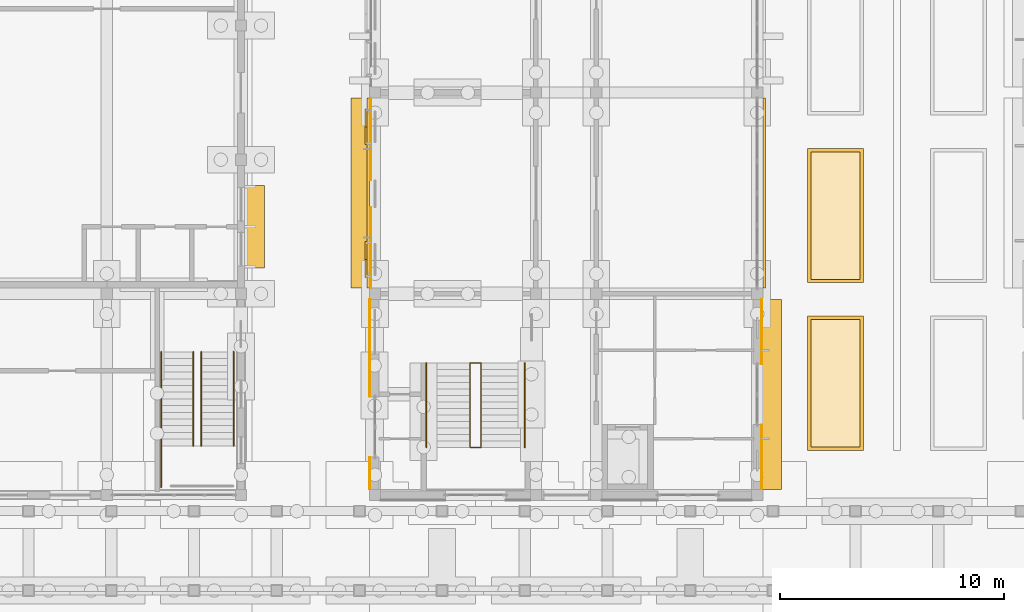
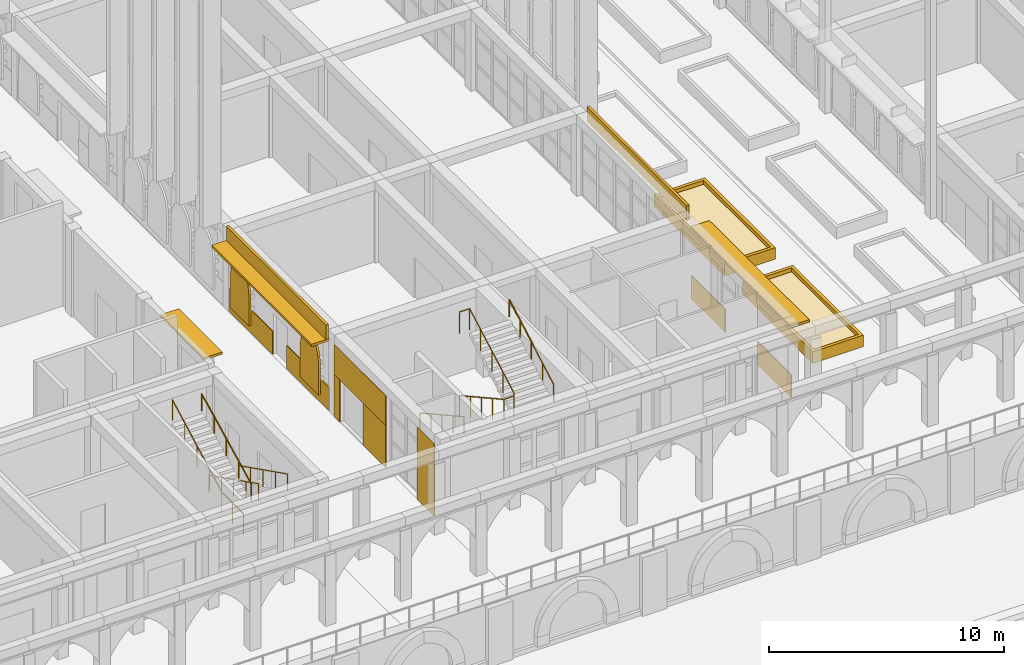
# One storey, part 95 of 161: 14 coverings, 7 railings, 5 shading devices.
"""IFC4 building model written with IfcOpenShell, lengths in metres."""

import ifcopenshell
import ifcopenshell.guid

model = None  # the IFC model being written
_history = None  # IfcOwnerHistory: only IFC2X3 demands one
_inside = {}  # id of a spatial element -> (the spatial element, [elements in it])
_under = {}  # id of a project, library or spatial element -> (it, [spatial elements below it])
_declared = {}  # id of a project -> (the project, [libraries it declares])
_typed = {}  # id of a type object -> (the type object, [elements of that type])
_made_of = {}  # id of a material, layer set ... -> (it, [elements and type objects made of it])


def new_model(schema):
    """Start an empty IFC model of exactly this schema.

    Asked for "IFC4X3", IfcOpenShell would pick the latest addendum, in which some entities
    have other attributes; the version numbers below select the first issue.
    IFC2X3 requires an IfcOwnerHistory on every rooted entity: one is made here for all.
    """
    global model, _history
    if schema == "IFC4X3":
        model = ifcopenshell.file(schema_version=(4, 3, 0, 0))
    else:
        model = ifcopenshell.file(schema=schema)
    _inside.clear()
    _under.clear()
    _declared.clear()
    _typed.clear()
    _made_of.clear()
    _history = None
    if model.schema == "IFC2X3":
        org = make("IfcOrganization", Name="unknown")
        user = make(
            "IfcPersonAndOrganization",
            ThePerson=make("IfcPerson", FamilyName="unknown"),
            TheOrganization=org,
        )
        app = make(
            "IfcApplication",
            ApplicationDeveloper=org,
            Version="unknown",
            ApplicationFullName="unknown",
            ApplicationIdentifier="unknown",
        )
        _history = make(
            "IfcOwnerHistory",
            OwningUser=user,
            OwningApplication=app,
            ChangeAction="ADDED",
            CreationDate=0,
        )
    return model


def make(cls, **values):
    """One entity of the class cls with the attributes given. An attribute that is None is left unset."""
    return model.create_entity(
        cls, **{name: value for name, value in values.items() if value is not None}
    )


def rooted(cls, **values):
    """An entity with a GlobalId (a new one), such as an element, a storey or a relation."""
    return make(cls, GlobalId=ifcopenshell.guid.new(), OwnerHistory=_history, **values)


def si_unit(unit_type, name, prefix=None):
    """IfcSIUnit, for example si_unit("LENGTHUNIT", "METRE", prefix="MILLI")."""
    return make("IfcSIUnit", UnitType=unit_type, Prefix=prefix, Name=name)


def assignment(units):
    """IfcUnitAssignment: the units of a project."""
    return None if units is None else make("IfcUnitAssignment", Units=units)


def point(xyz):
    """IfcCartesianPoint."""
    return None if xyz is None else make("IfcCartesianPoint", Coordinates=xyz)


def direction(xyz):
    """IfcDirection."""
    return None if xyz is None else make("IfcDirection", DirectionRatios=xyz)


def frame(location, z_axis=None, x_axis=None):
    """IfcAxis2Placement3D, a coordinate frame: its origin and axes. An axis left out is left unset."""
    return make(
        "IfcAxis2Placement3D",
        Location=point(location),
        Axis=direction(z_axis),
        RefDirection=direction(x_axis),
    )


def frame_2d(location, x_axis=None):
    """IfcAxis2Placement2D, a coordinate frame in the plane: its origin and x axis."""
    return make(
        "IfcAxis2Placement2D", Location=point(location), RefDirection=direction(x_axis)
    )


def origin():
    """The frame at (0, 0, 0) with its axes left unset."""
    return frame((0.0, 0.0, 0.0))


def origin_2d():
    """The frame at (0, 0) in the plane with its x axis left unset."""
    return frame_2d((0.0, 0.0))


def place(relative_to, where):
    """IfcLocalPlacement: puts the frame where relative to a parent placement (None: the world)."""
    return make(
        "IfcLocalPlacement", PlacementRelTo=relative_to, RelativePlacement=where
    )


def context(
    kind, dimensions, precision=None, world=None, true_north=None, identifier=None
):
    """IfcGeometricRepresentationContext, for example the 3D "Model" context."""
    return make(
        "IfcGeometricRepresentationContext",
        ContextIdentifier=identifier,
        ContextType=kind,
        CoordinateSpaceDimension=dimensions,
        Precision=precision,
        WorldCoordinateSystem=world,
        TrueNorth=true_north,
    )


def subcontext(parent, identifier, kind, view, scale=None):
    """IfcGeometricRepresentationSubContext, for example "Body" below "Model"."""
    return make(
        "IfcGeometricRepresentationSubContext",
        ContextIdentifier=identifier,
        ContextType=kind,
        ParentContext=parent,
        TargetScale=scale,
        TargetView=view,
    )


def project(units=None, contexts=None):
    """IfcProject with its units and contexts."""
    return rooted(
        "IfcProject",
        Name="project",
        RepresentationContexts=contexts,
        UnitsInContext=assignment(units),
    )


def spatial(cls, under=None, at=None, **own):
    """A site, building, storey or space (cls), placed at a placement, below another one or the project."""
    s = rooted(cls, ObjectPlacement=at, **own)
    if under is not None:
        _under.setdefault(under.id(), (under, []))[1].append(s)
    return s


def polyline(points):
    """IfcPolyline through the points."""
    return make("IfcPolyline", Points=[point(p) for p in points])


def profile(cls, at=None, kind="AREA", **sizes):
    """A parametric profile (cls). Its sizes go by their IFC names, for example OverallWidth=200.0."""
    return make(cls, ProfileType=kind, Position=at, **sizes)


def rectangle(**sizes):
    """IfcRectangleProfileDef."""
    return profile("IfcRectangleProfileDef", **sizes)


def circle(**sizes):
    """IfcCircleProfileDef."""
    return profile("IfcCircleProfileDef", **sizes)


def outline(outer, holes=None, kind="AREA"):
    """IfcArbitraryClosedProfileDef: a profile drawn as a closed curve; with holes, ...WithVoids."""
    if holes is None:
        return make("IfcArbitraryClosedProfileDef", ProfileType=kind, OuterCurve=outer)
    return make(
        "IfcArbitraryProfileDefWithVoids",
        ProfileType=kind,
        OuterCurve=outer,
        InnerCurves=holes,
    )


def extrude(swept, where, along, depth):
    """IfcExtrudedAreaSolid: the profile swept, set in the frame where, extruded along a direction by depth."""
    return make(
        "IfcExtrudedAreaSolid",
        SweptArea=swept,
        Position=where,
        ExtrudedDirection=direction(along),
        Depth=depth,
    )


def shape(context_of_items, identifier, shape_type, items):
    """IfcShapeRepresentation: the items that make up one representation, for example the "Body"."""
    return make(
        "IfcShapeRepresentation",
        ContextOfItems=context_of_items,
        RepresentationIdentifier=identifier,
        RepresentationType=shape_type,
        Items=items,
    )


def material(Name=None, Category=None):
    """IfcMaterial."""
    return make("IfcMaterial", Name=Name, Category=Category)


def layer(
    of_material, thickness, ventilated=None, Name=None, Category=None, Priority=None
):
    """IfcMaterialLayer: one layer of a wall or slab, of a material (None: an air gap)."""
    return make(
        "IfcMaterialLayer",
        Material=of_material,
        LayerThickness=thickness,
        IsVentilated=ventilated,
        Name=Name,
        Category=Category,
        Priority=Priority,
    )


def layer_set(layers, Name=None):
    """IfcMaterialLayerSet."""
    return make("IfcMaterialLayerSet", MaterialLayers=layers, LayerSetName=Name)


def made_of(thing, what):
    """Note that an element or type object is made of a material, layer set ...; save() writes the relation."""
    if what is not None:
        _made_of.setdefault(what.id(), (what, []))[1].append(thing)
    return thing


def type_object(cls, material=None, **own):
    """A type object (cls), such as IfcWallType, which elements share."""
    return made_of(rooted(cls, **own), material)


def element(
    cls,
    number,
    at=None,
    inside=None,
    cuts=None,
    type_object=None,
    material=None,
    context=None,
    identifier="Body",
    shape_type=None,
    held_by="IfcProductDefinitionShape",
    body=None,
    shapes=None,
    **own,
):
    """One element of the class cls, such as IfcWall. Its Tag is "e" and its number.

    at: its placement. inside: the storey or other place that contains it. cuts: it is an
    opening in that element (IfcRelVoidsElement). A single representation is given by context,
    identifier, shape_type and body (its items); several are given by shapes. held_by: the class
    of the entity that holds the representations. save() writes the other relations.
    """
    e = rooted(cls, Tag="e%d" % number, ObjectPlacement=at, **own)
    if body is not None:
        shapes = [shape(context, identifier, shape_type, body)]
    if shapes is not None:
        e.Representation = make(held_by, Representations=shapes)
    if inside is not None:
        _inside.setdefault(inside.id(), (inside, []))[1].append(e)
    if cuts is not None:
        rooted(
            "IfcRelVoidsElement", RelatingBuildingElement=cuts, RelatedOpeningElement=e
        )
    if type_object is not None:
        _typed.setdefault(type_object.id(), (type_object, []))[1].append(e)
    return made_of(e, material)


def aggregate(whole, parts):
    """IfcRelAggregates: a whole, such as a stair, and the parts it consists of."""
    return rooted("IfcRelAggregates", RelatingObject=whole, RelatedObjects=parts)


def save(model, path):
    """Write the relations noted so far, then the file.

    IfcRelAggregates (storeys below a building ...), IfcRelContainedInSpatialStructure (elements
    in a storey), IfcRelDefinesByType, IfcRelAssociatesMaterial and IfcRelDeclares: one each for
    every whole, place, type object, material and project.
    """
    for whole, parts in _under.values():
        aggregate(whole, parts)
    for where, things in _inside.values():
        rooted(
            "IfcRelContainedInSpatialStructure",
            RelatedElements=things,
            RelatingStructure=where,
        )
    for kind, things in _typed.values():
        rooted("IfcRelDefinesByType", RelatedObjects=things, RelatingType=kind)
    for what, things in _made_of.values():
        rooted("IfcRelAssociatesMaterial", RelatedObjects=things, RelatingMaterial=what)
    for by, libraries in _declared.values():
        rooted("IfcRelDeclares", RelatingContext=by, RelatedDefinitions=libraries)
    model.write(path)


model = new_model("IFC4")

# Units and contexts
model_context = context("Model", 3, precision=1e-05, world=origin(), true_north=direction((0.0, 1.0)))
body_context = subcontext(model_context, "Body", "Model", "MODEL_VIEW")
ifc_project = project(units=[si_unit("LENGTHUNIT", "METRE"), si_unit("AREAUNIT", "SQUARE_METRE"), si_unit("VOLUMEUNIT", "CUBIC_METRE"), si_unit("PLANEANGLEUNIT", "RADIAN"), si_unit("MASSUNIT", "GRAM", prefix="KILO")], contexts=[model_context])

# Site, building, storey
site_placement = place(None, origin())
site = spatial("IfcSite", under=ifc_project, at=site_placement, CompositionType="ELEMENT")
building_placement = place(site_placement, origin())
building = spatial("IfcBuilding", under=site, at=building_placement, Name="Elbe Cascade School", CompositionType="ELEMENT")
storey_placement = place(building_placement, origin())
storey = spatial("IfcBuildingStorey", under=building, at=storey_placement, Name="L00", CompositionType="ELEMENT", Elevation=0.0)

# Railings
ifc_material_1 = material(Name="Steel S355J2H, painted", Category="steel")
railing_type_1 = type_object("IfcRailingType", Name="Bar stair guard 1100", PredefinedType="GUARDRAIL", material=ifc_material_1)
railing_1_placement = place(storey_placement, frame((73.25, 11.89990234375, 0.16064453125)))
element("IfcRailing", 1, at=railing_1_placement, inside=storey, type_object=railing_type_1, Name="Stair guard A0.S", PredefinedType="GUARDRAIL", context=body_context, shape_type="SweptSolid", body=[
    extrude(circle(Radius=0.02392578125, at=origin_2d()), frame((0.0, 0.0, 1.09619140625), z_axis=(0.0, -0.874659101714, 0.484738543742), x_axis=(1.0, 0.0, 0.0)), (0.0, 0.0, 1.0), 4.310302734375),
    extrude(circle(Radius=0.02392578125, at=origin_2d()), frame((0.0, -3.77001953125, 3.185546875), z_axis=(1.0, 0.0, 0.0), x_axis=(0.0, 1.0, 0.0)), (0.0, 0.0, 1.0), 0.5),
    extrude(circle(Radius=0.02392578125, at=origin_2d()), frame((0.5, -3.77001953125, 3.185546875), z_axis=(0.0, 0.0, 1.0), x_axis=(1.0, 0.0, 0.0)), (0.0, 0.0, 1.0), 0.16064453125),
    extrude(circle(Radius=0.02392578125, at=origin_2d()), frame((0.5, -3.77001953125, 3.34619140625), z_axis=(0.0, 0.874659101714, 0.484738543742), x_axis=(-1.0, 0.0, 0.0)), (0.0, 0.0, 1.0), 4.310302734375),
    extrude(circle(Radius=0.02392578125, at=origin_2d()), frame((0.5, 0.0, 5.435546875), z_axis=(-1.0, 0.0, 0.0), x_axis=(0.0, -1.0, 0.0)), (0.0, 0.0, 1.0), 0.5),
    extrude(circle(Radius=0.02099609375, at=origin_2d()), origin(), (0.0, 0.0, 1.0), 1.072021484375),
    extrude(circle(Radius=0.02099609375, at=origin_2d()), frame((0.0, -0.9423828125, 0.5224609375)), (0.0, 0.0, 1.0), 1.072021484375),
    extrude(circle(Radius=0.02099609375, at=origin_2d()), frame((0.0, -1.885009765625, 1.044677734375)), (0.0, 0.0, 1.0), 1.072021484375),
    extrude(circle(Radius=0.02099609375, at=origin_2d()), frame((0.0, -2.82763671875, 1.56689453125)), (0.0, 0.0, 1.0), 1.072021484375),
    extrude(circle(Radius=0.02099609375, at=origin_2d()), frame((0.0, -3.77001953125, 2.08935546875)), (0.0, 0.0, 1.0), 1.072021484375),
    extrude(circle(Radius=0.02099609375, at=origin_2d()), frame((0.5, -3.77001953125, 2.08935546875)), (0.0, 0.0, 1.0), 1.072021484375),
    extrude(circle(Radius=0.02099609375, at=origin_2d()), frame((0.5, -3.77001953125, 2.25)), (0.0, 0.0, 1.0), 1.072021484375),
    extrude(circle(Radius=0.02099609375, at=origin_2d()), frame((0.5, -2.82763671875, 2.7724609375)), (0.0, 0.0, 1.0), 1.072021484375),
    extrude(circle(Radius=0.02099609375, at=origin_2d()), frame((0.5, -1.885009765625, 3.294677734375)), (0.0, 0.0, 1.0), 1.072021484375),
    extrude(circle(Radius=0.02099609375, at=origin_2d()), frame((0.5, -0.9423828125, 3.81689453125)), (0.0, 0.0, 1.0), 1.072021484375),
    extrude(circle(Radius=0.02099609375, at=origin_2d()), frame((0.5, 0.0, 4.33935546875)), (0.0, 0.0, 1.0), 1.072021484375),
    extrude(circle(Radius=0.02099609375, at=origin_2d()), frame((0.0, 0.0, 4.33935546875)), (0.0, 0.0, 1.0), 1.072021484375),
])
ifc_material_2 = material(Name="Steel S355J2H, painted", Category="steel")
railing_type_2 = type_object("IfcRailingType", Name="Bar stair handrail 900", PredefinedType="HANDRAIL", material=ifc_material_2)
railing_2_placement = place(storey_placement, frame((71.300048828125, 11.89990234375, 0.16064453125)))
element("IfcRailing", 2, at=railing_2_placement, inside=storey, type_object=railing_type_2, Name="Stair handrail A0.S", PredefinedType="HANDRAIL", context=body_context, shape_type="SweptSolid", body=[
    extrude(circle(Radius=0.02392578125, at=origin_2d()), frame((0.0, 0.0, 0.8759765625), z_axis=(0.0, -0.874659101714, 0.484738543742), x_axis=(1.0, 0.0, 0.0)), (0.0, 0.0, 1.0), 4.310302734375),
    extrude(circle(Radius=0.02099609375, at=origin_2d()), origin(), (0.0, 0.0, 1.0), 0.851806640625),
    extrude(circle(Radius=0.02099609375, at=origin_2d()), frame((0.0, -0.9423828125, 0.5224609375)), (0.0, 0.0, 1.0), 0.851806640625),
    extrude(circle(Radius=0.02099609375, at=origin_2d()), frame((0.0, -1.885009765625, 1.044677734375)), (0.0, 0.0, 1.0), 0.851806640625),
    extrude(circle(Radius=0.02099609375, at=origin_2d()), frame((0.0, -2.82763671875, 1.56689453125)), (0.0, 0.0, 1.0), 0.851806640625),
    extrude(circle(Radius=0.02099609375, at=origin_2d()), frame((0.0, -3.77001953125, 2.08935546875)), (0.0, 0.0, 1.0), 0.851806640625),
])
railing_3_placement = place(storey_placement, frame((75.699951171875, 8.1298828125, 2.41064453125)))
element("IfcRailing", 3, at=railing_3_placement, inside=storey, type_object=railing_type_2, Name="Stair handrail A0.S", PredefinedType="HANDRAIL", context=body_context, shape_type="SweptSolid", body=[
    extrude(circle(Radius=0.02392578125, at=origin_2d()), frame((0.0, 0.0, 0.8759765625), z_axis=(0.0, 0.874659101714, 0.484738543742), x_axis=(-1.0, 0.0, 0.0)), (0.0, 0.0, 1.0), 4.310302734375),
    extrude(circle(Radius=0.02099609375, at=origin_2d()), origin(), (0.0, 0.0, 1.0), 0.851806640625),
    extrude(circle(Radius=0.02099609375, at=origin_2d()), frame((0.0, 0.9423828125, 0.5224609375)), (0.0, 0.0, 1.0), 0.851806640625),
    extrude(circle(Radius=0.02099609375, at=origin_2d()), frame((0.0, 1.885009765625, 1.044677734375)), (0.0, 0.0, 1.0), 0.851806640625),
    extrude(circle(Radius=0.02099609375, at=origin_2d()), frame((0.0, 2.82763671875, 1.56689453125)), (0.0, 0.0, 1.0), 0.851806640625),
    extrude(circle(Radius=0.02099609375, at=origin_2d()), frame((0.0, 3.77001953125, 2.08935546875)), (0.0, 0.0, 1.0), 0.851806640625),
])

# Shading devices
ifc_material_3 = material(Name="Precast concrete C30/37", Category="concrete")
ifc_layer_1 = layer(ifc_material_3, 0.1201171875)
ifc_layer_set_1 = layer_set([ifc_layer_1], Name="Precast concrete C30/37")
shading_device_type_1 = type_object("IfcShadingDeviceType", Name="Bars envelope Chhajja eave, precast concrete, 900 x 120", PredefinedType="USERDEFINED", material=ifc_layer_set_1)
for number, where, z_axis, x_axis, name in (
    (4, (68.3701171875, 19.5, 3.6298828125), (0.0, 0.0, 1.0), (0.0, 1.0, 0.0), "Chhajja eave SD2 A.L00.w2"),
    (5, (86.72998046875, 10.5, 3.6298828125), (0.0, 0.0, 1.0), (0.0, 1.0, 0.0), "Chhajja eave SD2 A.L00.e1"),
):
    element("IfcShadingDevice", number, at=place(storey_placement, frame(where, z_axis=z_axis, x_axis=x_axis)), inside=storey, type_object=shading_device_type_1, Name=name, ObjectType="CHHAJJA", PredefinedType="USERDEFINED", context=body_context, shape_type="SweptSolid", body=[
        extrude(rectangle(XDim=8.5, YDim=0.89990234375, at=origin_2d()), origin(), (0.0, 0.0, 1.0), 0.1201171875),
    ])
ifc_material_4 = material(Name="Precast concrete C40/50", Category="concrete")
ifc_layer_2 = layer(ifc_material_4, 0.10009765625)
ifc_layer_set_2 = layer_set([ifc_layer_2], Name="Precast concrete C40/50")
shading_device_type_2 = type_object("IfcShadingDeviceType", Name="Bars envelope Jali screen 1600 x 2840, pointed arch rise 1200, pierced precast concrete", PredefinedType="USERDEFINED", material=ifc_layer_set_2)
shading_device_1_placement = place(storey_placement, frame((68.5400390625, 15.72998046875, 2.239990234375), z_axis=(-1.0, 0.0, 0.0), x_axis=(0.0, 0.196300278283, 0.98054382908)))
element("IfcShadingDevice", 6, at=shading_device_1_placement, inside=storey, type_object=shading_device_type_2, Name="Jali screen SD3 A.L00.w2.1", ObjectType="JALI", PredefinedType="USERDEFINED", context=body_context, shape_type="SweptSolid", body=[
    extrude(outline(polyline([(0.0, 0.0), (0.509921112317134, 0.0), (0.7186409460062186, 0.06005009918221829), (0.8735458233318658, 0.1311226852889124), (0.9982395622926888, 0.20799441476340969), (1.102872417131342, 0.2891312241218946), (1.1919448840573539, 0.37338315020117196), (1.268281725197354, 0.45993570394643946), (1.3336545243794973, 0.5489321924158467), (1.3075321958793382, 0.6559965916457164), (1.270445825421322, 0.7655049255997259), (1.220671754049922, 0.877553277802997), (1.155289369893253, 0.9924773561437888), (1.069846101614414, 1.1116665143685687), (0.9541916949707512, 1.2366548159611515), (0.7847223319636507, 1.37266560447821), (0.31409961520112845, 1.5689658827607584), (-1.2938869326328684, 1.8908772522001815), (-1.6079865478339967, 0.32191136943942317), (0.0, 0.0)])), origin(), (0.0, 0.0, -1.0), 0.10009765625),
])
shading_device_2_placement = place(storey_placement, frame((68.5400390625, 21.669921875, 2.239990234375), z_axis=(-1.0, 0.0, 0.0), x_axis=(0.0, 0.196300278283, 0.98054382908)))
element("IfcShadingDevice", 7, at=shading_device_2_placement, inside=storey, type_object=shading_device_type_2, Name="Jali screen SD3 A.L00.w2.4", ObjectType="JALI", PredefinedType="USERDEFINED", context=body_context, shape_type="SweptSolid", body=[
    extrude(outline(polyline([(0.0, 0.0), (0.509921112317134, 0.0), (0.7186888708788461, 0.0602894897654897), (0.8735458233318658, 0.1311226852889124), (0.9982874871653163, 0.20823380534668107), (1.102872417131342, 0.2891312241218946), (1.1919448840573539, 0.37338315020117196), (1.2683296500699814, 0.46017509452971084), (1.3336545243794973, 0.5489321924158467), (1.3075801207519657, 0.6562359822289878), (1.270445825421322, 0.7655049255997259), (1.220671754049922, 0.877553277802997), (1.1553372947658807, 0.9927167467270602), (1.069846101614414, 1.1116665143685687), (0.9542396198433787, 1.2368942065444228), (0.7847223319636507, 1.37266560447821), (0.31409961520112845, 1.5689658827607584), (-1.2938869326328684, 1.8908772522001815), (-1.6079865478339967, 0.32191136943942317), (0.0, 0.0)])), origin(), (0.0, 0.0, -1.0), 0.10009765625),
])

# Coverings
ifc_material_5 = material(Name="Sandstone - red", Category="masonry")
ifc_layer_3 = layer(ifc_material_5, 0.0400390625)
ifc_layer_set_3 = layer_set([ifc_layer_3], Name="Sandstone - red")
covering_type_1 = type_object("IfcCoveringType", Name="Bars envelope Sandstone cladding, red, 40 mm", PredefinedType="CLADDING", material=ifc_layer_set_3)
covering_1_placement = place(storey_placement, frame((68.760009765625, 6.969970703125, 0.0), z_axis=(0.0, 0.0, 1.0), x_axis=(0.0, 1.0, 0.0)))
element("IfcCovering", 8, at=covering_1_placement, inside=storey, type_object=covering_type_1, Name="Sandstone cladding CV48 A.L00.w.1a.1", PredefinedType="CLADDING", context=body_context, shape_type="SweptSolid", body=[
    extrude(rectangle(XDim=1.43994140625, YDim=0.0400390625, at=origin_2d()), origin(), (0.0, 0.0, 1.0), 3.75),
])
covering_2_placement = place(storey_placement, frame((68.760009765625, 11.344970703125, 0.0), z_axis=(0.0, 0.0, 1.0), x_axis=(0.0, 1.0, 0.0)))
element("IfcCovering", 9, at=covering_2_placement, inside=storey, type_object=covering_type_1, Name="Sandstone cladding CV48 A.L00.w.1b.1", PredefinedType="CLADDING", context=body_context, shape_type="SweptSolid", body=[
    extrude(rectangle(XDim=1.909912109375, YDim=0.0400390625, at=origin_2d()), origin(), (0.0, 0.0, 1.0), 2.199951171875),
])
covering_3_placement = place(storey_placement, frame((68.760009765625, 14.52490234375, 0.0), z_axis=(0.0, 0.0, 1.0), x_axis=(0.0, 1.0, 0.0)))
element("IfcCovering", 10, at=covering_3_placement, inside=storey, type_object=covering_type_1, Name="Sandstone cladding CV48 A.L00.w.1b.2", PredefinedType="CLADDING", context=body_context, shape_type="SweptSolid", body=[
    extrude(rectangle(XDim=0.449951171875, YDim=0.0400390625, at=origin_2d()), origin(), (0.0, 0.0, 1.0), 2.199951171875),
])
covering_4_placement = place(storey_placement, frame((68.760009765625, 12.570068359375, 2.2001953125), z_axis=(0.0, 0.0, 1.0), x_axis=(0.0, 1.0, 0.0)))
element("IfcCovering", 11, at=covering_4_placement, inside=storey, type_object=covering_type_1, Name="Sandstone cladding CV48 A.L00.w.1b.3", PredefinedType="CLADDING", context=body_context, shape_type="SweptSolid", body=[
    extrude(rectangle(XDim=4.360107421875, YDim=0.0400390625, at=origin_2d()), origin(), (0.0, 0.0, 1.0), 1.550048828125),
])
covering_5_placement = place(storey_placement, frame((68.800048828125, 17.0625, 0.0), z_axis=(0.0, 0.0, 1.0), x_axis=(0.0, 1.0, 0.0)))
element("IfcCovering", 12, at=covering_5_placement, inside=storey, type_object=covering_type_1, Name="Sandstone cladding CV48 A.L00.w.2.1", PredefinedType="CLADDING", context=body_context, shape_type="SweptSolid", body=[
    extrude(rectangle(XDim=3.625, YDim=0.0400390625, at=origin_2d()), origin(), (0.0, 0.0, 1.0), 1.199951171875),
])
covering_6_placement = place(storey_placement, frame((68.800048828125, 21.91259765625, 0.0), z_axis=(0.0, 0.0, 1.0), x_axis=(0.0, 1.0, 0.0)))
element("IfcCovering", 13, at=covering_6_placement, inside=storey, type_object=covering_type_1, Name="Sandstone cladding CV48 A.L00.w.2.2", PredefinedType="CLADDING", context=body_context, shape_type="SweptSolid", body=[
    extrude(rectangle(XDim=3.675048828125, YDim=0.0400390625, at=origin_2d()), origin(), (0.0, 0.0, 1.0), 1.199951171875),
])
for number, where, z_axis, x_axis, name in (
    (14, (86.300048828125, 7.699951171875, 0.0), (0.0, 0.0, 1.0), (0.0, 1.0, 0.0), "Sandstone cladding CV48 A.L00.e.1a.1"),
    (15, (86.300048828125, 13.300048828125, 0.0), (0.0, 0.0, 1.0), (0.0, 1.0, 0.0), "Sandstone cladding CV48 A.L00.e.1b.1"),
):
    element("IfcCovering", number, at=place(storey_placement, frame(where, z_axis=z_axis, x_axis=x_axis)), inside=storey, type_object=covering_type_1, Name=name, PredefinedType="CLADDING", context=body_context, shape_type="SweptSolid", body=[
        extrude(rectangle(XDim=2.89990234375, YDim=0.0400390625, at=origin_2d()), origin(), (0.0, 0.0, 1.0), 1.199951171875),
    ])
ifc_material_6 = material(Name="Sandstone - red", Category="masonry")
covering_type_2 = type_object("IfcCoveringType", Name="Bars envelope Sandstone spandrel band, 120 deep", PredefinedType="CLADDING", material=ifc_material_6)
for number, where, z_axis, x_axis, name in (
    (16, (68.68994140625, 19.5, 3.75), (0.0, 0.0, 1.0), (0.0, 1.0, 0.0), "Spandrel band CV53 A.L00.w1.1"),
    (17, (86.409912109375, 19.5, 3.75), (0.0, 0.0, 1.0), (0.0, 1.0, 0.0), "Spandrel band CV53 A.L00.e1.1"),
):
    element("IfcCovering", number, at=place(storey_placement, frame(where, z_axis=z_axis, x_axis=x_axis)), inside=storey, type_object=covering_type_2, Name=name, PredefinedType="CLADDING", context=body_context, shape_type="SweptSolid", body=[
        extrude(rectangle(XDim=8.5, YDim=0.1201171875, at=origin_2d()), origin(), (0.0, 0.0, 1.0), 0.75),
    ])

# Railings
ifc_material_7 = material(Name="Steel S355J2H balustrade", Category="steel")
railing_type_3 = type_object("IfcRailingType", Name="Cafe guard 1100", PredefinedType="GUARDRAIL", material=ifc_material_7)
railing_4_placement = place(storey_placement, frame((59.429931640625, 6.35009765625, 2.25)))
element("IfcRailing", 18, at=railing_4_placement, inside=storey, type_object=railing_type_3, Name="Cafe guard 1100 RL11", PredefinedType="GUARDRAIL", context=body_context, shape_type="SweptSolid", body=[
    extrude(circle(Radius=0.02490234375, at=origin_2d()), frame((0.0, 0.0, 1.0751953125), z_axis=(0.0, 1.0, 0.0), x_axis=(-1.0, 0.0, 0.0)), (0.0, 0.0, 1.0), 1.849853515625),
    extrude(circle(Radius=0.02490234375, at=origin_2d()), frame((0.0, 1.849853515625, 1.0751953125), z_axis=(0.0, 0.881477684796, 0.472225678258), x_axis=(-1.0, 0.0, 0.0)), (0.0, 0.0, 1.0), 4.7646484375),
    extrude(circle(Radius=0.02001953125, at=origin_2d()), origin(), (0.0, 0.0, 1.0), 1.050048828125),
    extrude(circle(Radius=0.02001953125, at=origin_2d()), frame((0.0, 0.9248046875, 0.0)), (0.0, 0.0, 1.0), 1.050048828125),
    extrude(circle(Radius=0.02001953125, at=origin_2d()), frame((0.0, 1.849853515625, 0.0)), (0.0, 0.0, 1.0), 1.050048828125),
    extrude(circle(Radius=0.02001953125, at=origin_2d()), frame((0.0, 2.89990234375, 0.5625)), (0.0, 0.0, 1.0), 1.050048828125),
    extrude(circle(Radius=0.02001953125, at=origin_2d()), frame((0.0, 3.94970703125, 1.125)), (0.0, 0.0, 1.0), 1.050048828125),
    extrude(circle(Radius=0.02001953125, at=origin_2d()), frame((0.0, 4.999755859375, 1.6875)), (0.0, 0.0, 1.0), 1.050048828125),
    extrude(circle(Radius=0.02001953125, at=origin_2d()), frame((0.0, 6.0498046875, 2.25)), (0.0, 0.0, 1.0), 1.050048828125),
])
ifc_material_8 = material(Name="Steel - stainless handrail", Category="steel")
railing_type_4 = type_object("IfcRailingType", Name="Cafe handrail 900", PredefinedType="HANDRAIL", material=ifc_material_8)
for number, where, name in (
    (19, (62.669921875, 12.39990234375, 0.14990234375), "Cafe handrail 900 RL16"),
    (20, (61.22998046875, 12.39990234375, 0.14990234375), "Cafe handrail 900 RL16"),
):
    element("IfcRailing", number, at=place(storey_placement, frame(where)), inside=storey, type_object=railing_type_4, Name=name, PredefinedType="HANDRAIL", context=body_context, shape_type="SweptSolid", body=[
        extrude(circle(Radius=0.0224609375, at=origin_2d()), frame((0.0, 0.0, 0.87744140625), z_axis=(0.0, -0.894416792377, 0.447234392142), x_axis=(1.0, 0.0, 0.0)), (0.0, 0.0, 1.0), 4.69580078125),
        extrude(circle(Radius=0.02001953125, at=origin_2d()), origin(), (0.0, 0.0, 1.0), 0.85498046875),
        extrude(circle(Radius=0.02001953125, at=origin_2d()), frame((0.0, -1.050048828125, 0.52490234375)), (0.0, 0.0, 1.0), 0.85498046875),
        extrude(circle(Radius=0.02001953125, at=origin_2d()), frame((0.0, -2.10009765625, 1.050048828125)), (0.0, 0.0, 1.0), 0.85498046875),
        extrude(circle(Radius=0.02001953125, at=origin_2d()), frame((0.0, -3.14990234375, 1.5751953125)), (0.0, 0.0, 1.0), 0.85498046875),
        extrude(circle(Radius=0.02001953125, at=origin_2d()), frame((0.0, -4.199951171875, 2.10009765625)), (0.0, 0.0, 1.0), 0.85498046875),
    ])
railing_5_placement = place(storey_placement, frame((60.8701171875, 8.199951171875, 2.39990234375)))
element("IfcRailing", 21, at=railing_5_placement, inside=storey, type_object=railing_type_4, Name="Cafe handrail 900 RL16", PredefinedType="HANDRAIL", context=body_context, shape_type="SweptSolid", body=[
    extrude(circle(Radius=0.0224609375, at=origin_2d()), frame((0.0, 0.0, 0.87744140625), z_axis=(0.0, 0.894416792377, 0.447234392142), x_axis=(-1.0, 0.0, 0.0)), (0.0, 0.0, 1.0), 4.69580078125),
    extrude(circle(Radius=0.02001953125, at=origin_2d()), origin(), (0.0, 0.0, 1.0), 0.85498046875),
    extrude(circle(Radius=0.02001953125, at=origin_2d()), frame((0.0, 1.050048828125, 0.52490234375)), (0.0, 0.0, 1.0), 0.85498046875),
    extrude(circle(Radius=0.02001953125, at=origin_2d()), frame((0.0, 2.10009765625, 1.050048828125)), (0.0, 0.0, 1.0), 0.85498046875),
    extrude(circle(Radius=0.02001953125, at=origin_2d()), frame((0.0, 3.14990234375, 1.5751953125)), (0.0, 0.0, 1.0), 0.85498046875),
    extrude(circle(Radius=0.02001953125, at=origin_2d()), frame((0.0, 4.199951171875, 2.10009765625)), (0.0, 0.0, 1.0), 0.85498046875),
])

# Shading device
ifc_material_9 = material(Name="Precast concrete C30/37", Category="concrete")
ifc_layer_4 = layer(ifc_material_9, 0.1201171875)
ifc_layer_set_4 = layer_set([ifc_layer_4], Name="Precast concrete C30/37")
shading_device_type_3 = type_object("IfcShadingDeviceType", Name="Dining chhajja eave 900", PredefinedType="USERDEFINED", material=ifc_layer_set_4)
shading_device_3_placement = place(storey_placement, frame((0.0, 0.0, 4.050048828125)))
element("IfcShadingDevice", 22, at=shading_device_3_placement, inside=storey, type_object=shading_device_type_3, Name="Dining chhajja eave 900 SD15", ObjectType="CHHAJJA", PredefinedType="USERDEFINED", context=body_context, shape_type="SweptSolid", body=[
    extrude(outline(polyline([(63.14990234375, 16.14990234375), (64.050048828125, 16.14990234375), (64.050048828125, 19.85009765625), (63.14990234375, 19.85009765625), (63.14990234375, 16.14990234375)])), origin(), (0.0, 0.0, 1.0), 0.119873046875),
])

# Coverings
ifc_material_10 = material(Name="Planting - soil and shrubs", Category="soil")
ifc_layer_5 = layer(ifc_material_10, 0.39990234375)
ifc_layer_set_5 = layer_set([ifc_layer_5], Name="Planting - soil and shrubs")
covering_type_3 = type_object("IfcCoveringType", Name="Site planting bed 400", PredefinedType="USERDEFINED", material=ifc_layer_set_5)
covering_7_placement = place(storey_placement, origin())
element("IfcCovering", 23, at=covering_7_placement, inside=storey, type_object=covering_type_3, Name="Court A-B planting bed west 1", ObjectType="PLANTING BED", PredefinedType="USERDEFINED", context=body_context, shape_type="SweptSolid", body=[
    extrude(outline(polyline([(88.5, 8.14990234375), (90.699951171875, 8.14990234375), (90.699951171875, 13.85009765625), (88.5, 13.85009765625), (88.5, 8.14990234375)])), origin(), (0.0, 0.0, 1.0), 0.39990234375),
])
covering_8_placement = place(storey_placement, origin())
element("IfcCovering", 24, at=covering_8_placement, inside=storey, type_object=covering_type_3, Name="Court A-B planting bed west 2", ObjectType="PLANTING BED", PredefinedType="USERDEFINED", context=body_context, shape_type="SweptSolid", body=[
    extrude(outline(polyline([(88.5, 15.64990234375), (90.699951171875, 15.64990234375), (90.699951171875, 21.35009765625), (88.5, 21.35009765625), (88.5, 15.64990234375)])), origin(), (0.0, 0.0, 1.0), 0.39990234375),
])
ifc_material_11 = material(Name="Concrete C30/37 precast kerb", Category="concrete")
ifc_layer_6 = layer(ifc_material_11, 0.14990234375)
ifc_layer_set_6 = layer_set([ifc_layer_6], Name="Concrete C30/37 precast kerb")
covering_type_4 = type_object("IfcCoveringType", Name="Site planting bed kerb 150x600", PredefinedType="CLADDING", material=ifc_layer_set_6)
covering_9_placement = place(storey_placement, origin())
element("IfcCovering", 25, at=covering_9_placement, inside=storey, type_object=covering_type_4, Name="Court A-B planting bed kerb west 1", PredefinedType="CLADDING", context=body_context, shape_type="SweptSolid", body=[
    extrude(outline(polyline([(88.35009765625, 8.0), (90.85009765625, 8.0), (90.85009765625, 14.0), (88.35009765625, 14.0), (88.35009765625, 8.0)]), holes=[polyline([(88.5, 8.14990234375), (90.699951171875, 8.14990234375), (90.699951171875, 13.85009765625), (88.5, 13.85009765625), (88.5, 8.14990234375)])]), origin(), (0.0, 0.0, 1.0), 0.60009765625),
])
covering_10_placement = place(storey_placement, origin())
element("IfcCovering", 26, at=covering_10_placement, inside=storey, type_object=covering_type_4, Name="Court A-B planting bed kerb west 2", PredefinedType="CLADDING", context=body_context, shape_type="SweptSolid", body=[
    extrude(outline(polyline([(88.35009765625, 15.5), (90.85009765625, 15.5), (90.85009765625, 21.5), (88.35009765625, 21.5), (88.35009765625, 15.5)]), holes=[polyline([(88.5, 15.64990234375), (90.699951171875, 15.64990234375), (90.699951171875, 21.35009765625), (88.5, 21.35009765625), (88.5, 15.64990234375)])]), origin(), (0.0, 0.0, 1.0), 0.60009765625),
])

save(model, "model.ifc")
